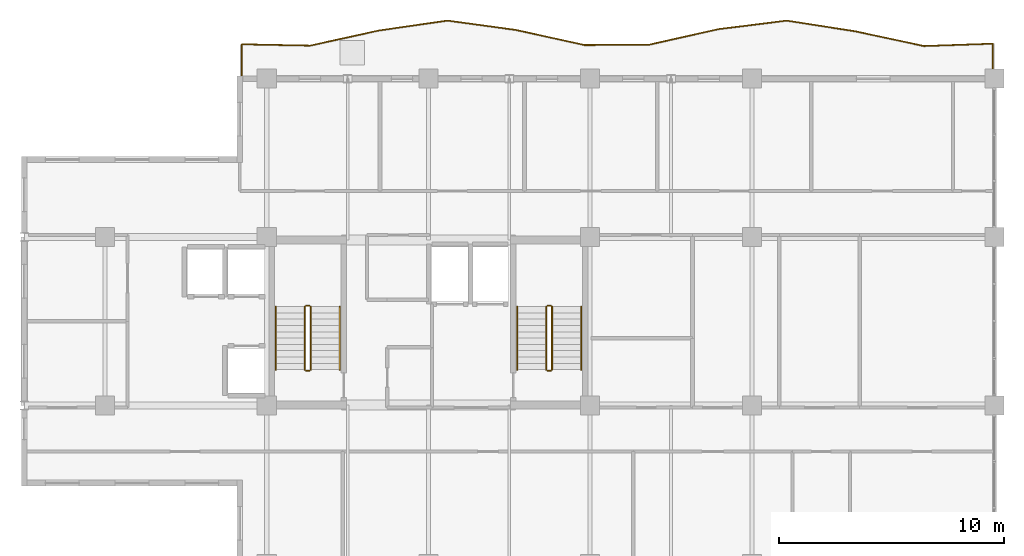
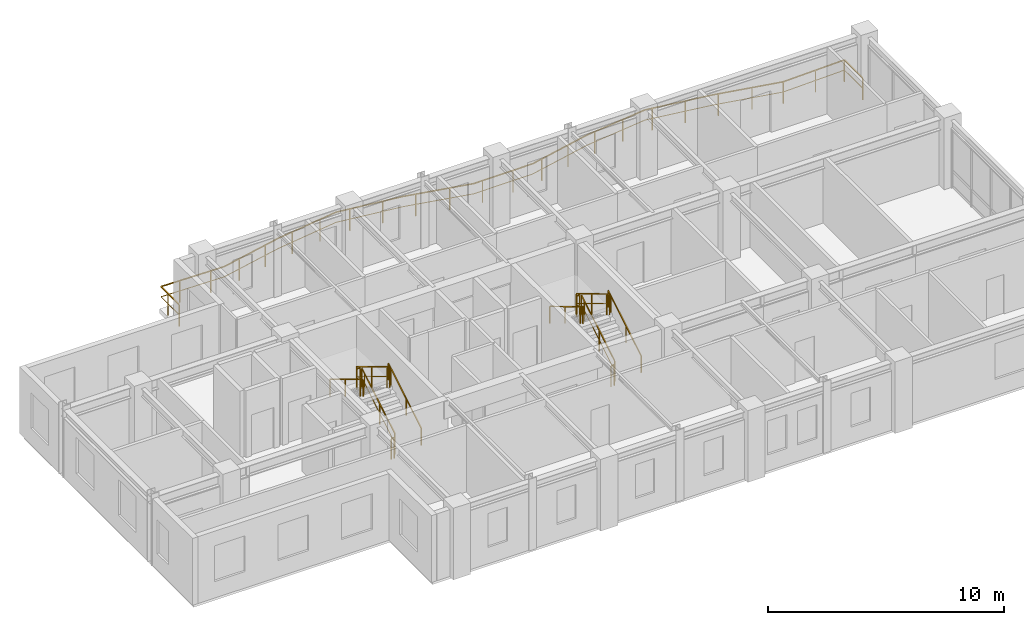
# One storey, part 10 of 10: 13 railings.
"""IFC4 building model written with IfcOpenShell, lengths in metres."""

from ifc_helpers import new_model, si_unit, direction, frame, origin, origin_2d, place, context, subcontext, project, spatial, rectangle, extrude, material, type_object, element, save


model = new_model("IFC4")

# Units and contexts
model_context = context("Model", 3, precision=1e-05, world=origin(), true_north=direction((0.0, 1.0)))
body_context = subcontext(model_context, "Body", "Model", "MODEL_VIEW")
ifc_project = project(units=[si_unit("LENGTHUNIT", "METRE"), si_unit("AREAUNIT", "SQUARE_METRE"), si_unit("VOLUMEUNIT", "CUBIC_METRE"), si_unit("PLANEANGLEUNIT", "RADIAN"), si_unit("MASSUNIT", "GRAM", prefix="KILO")], contexts=[model_context])

# Site, building, storey
site_placement = place(None, origin())
site = spatial("IfcSite", under=ifc_project, at=site_placement, CompositionType="ELEMENT")
building_placement = place(site_placement, origin())
building = spatial("IfcBuilding", under=site, at=building_placement, Name="Kaliganga Portal Commons", CompositionType="ELEMENT")
storey_placement = place(building_placement, frame((0.0, 0.0, 290.60009765625)))
storey = spatial("IfcBuildingStorey", under=building, at=storey_placement, Name="L75", CompositionType="ELEMENT", Elevation=290.60009765625)

# Railings
ifc_material_1 = material(Name="Laminated Safety Glass and Stainless Steel 316", Category="steel")
railing_type_1 = type_object("IfcRailingType", Name="RLG-BAL-1150", PredefinedType="BALUSTRADE", material=ifc_material_1)
railing_1_placement = place(storey_placement, frame((46.720458984375, 43.207763671875, 0.0)))
element("IfcRailing", 1, at=railing_1_placement, inside=storey, type_object=railing_type_1, Name="Balcony Guardrail L75 balc_north", PredefinedType="BALUSTRADE", context=body_context, shape_type="SweptSolid", body=[
    extrude(rectangle(XDim=0.048095703125, YDim=0.048095703125, at=origin_2d()), frame((0.0, 0.0, 1.1259765625), z_axis=(-0.000314415957, 0.999999950571, 0.0), x_axis=(-0.999999950571, -0.000314415957, 0.0)), (0.0, 0.0, 1.0), 1.552978515625),
    extrude(rectangle(XDim=0.028076171875, YDim=0.028076171875, at=origin_2d()), frame((0.0, 0.0, 0.597900390625), z_axis=(-0.000314415957, 0.999999950571, 0.0), x_axis=(-0.999999950571, -0.000314415957, 0.0)), (0.0, 0.0, 1.0), 1.552978515625),
    extrude(rectangle(XDim=0.048095703125, YDim=0.048095703125, at=origin_2d()), frame((-0.00048828125, 1.552978515625, 1.1259765625), z_axis=(-0.999409882753, -0.034349472431, 0.0), x_axis=(0.034349472431, -0.999409882753, 0.0)), (0.0, 0.0, 1.0), 3.05615234375),
    extrude(rectangle(XDim=0.028076171875, YDim=0.028076171875, at=origin_2d()), frame((-0.00048828125, 1.552978515625, 0.597900390625), z_axis=(-0.999409882753, -0.034349472431, 0.0), x_axis=(0.034349472431, -0.999409882753, 0.0)), (0.0, 0.0, 1.0), 3.05615234375),
    extrude(rectangle(XDim=0.048095703125, YDim=0.048095703125, at=origin_2d()), frame((-3.054931640625, 1.447998046875, 1.1259765625), z_axis=(-0.977817280433, 0.209459700388, 0.0), x_axis=(-0.209459700388, -0.977817280433, 0.0)), (0.0, 0.0, 1.0), 3.123779296875),
    extrude(rectangle(XDim=0.028076171875, YDim=0.028076171875, at=origin_2d()), frame((-3.054931640625, 1.447998046875, 0.597900390625), z_axis=(-0.977817280433, 0.209459700388, 0.0), x_axis=(-0.209459700388, -0.977817280433, 0.0)), (0.0, 0.0, 1.0), 3.123779296875),
    extrude(rectangle(XDim=0.048095703125, YDim=0.048095703125, at=origin_2d()), frame((-6.109375, 2.102294921875, 1.1259765625), z_axis=(-0.987996218209, 0.154478065773, 0.0), x_axis=(-0.154478065773, -0.987996218209, 0.0)), (0.0, 0.0, 1.0), 3.09130859375),
    extrude(rectangle(XDim=0.028076171875, YDim=0.028076171875, at=origin_2d()), frame((-6.109375, 2.102294921875, 0.597900390625), z_axis=(-0.987996218209, 0.154478065773, 0.0), x_axis=(-0.154478065773, -0.987996218209, 0.0)), (0.0, 0.0, 1.0), 3.09130859375),
    extrude(rectangle(XDim=0.048095703125, YDim=0.048095703125, at=origin_2d()), frame((-9.16357421875, 2.579833984375, 1.1259765625), z_axis=(-0.992315657939, -0.123732109854, 0.0), x_axis=(0.123732109854, -0.992315657939, 0.0)), (0.0, 0.0, 1.0), 3.078125),
    extrude(rectangle(XDim=0.028076171875, YDim=0.028076171875, at=origin_2d()), frame((-9.16357421875, 2.579833984375, 0.597900390625), z_axis=(-0.992315657939, -0.123732109854, 0.0), x_axis=(0.123732109854, -0.992315657939, 0.0)), (0.0, 0.0, 1.0), 3.078125),
    extrude(rectangle(XDim=0.048095703125, YDim=0.048095703125, at=origin_2d()), frame((-12.218017578125, 2.198974609375, 1.1259765625), z_axis=(-0.975683592517, -0.219183775159, 0.0), x_axis=(0.219183775159, -0.975683592517, 0.0)), (0.0, 0.0, 1.0), 3.131103515625),
    extrude(rectangle(XDim=0.028076171875, YDim=0.028076171875, at=origin_2d()), frame((-12.218017578125, 2.198974609375, 0.597900390625), z_axis=(-0.975683592517, -0.219183775159, 0.0), x_axis=(0.219183775159, -0.975683592517, 0.0)), (0.0, 0.0, 1.0), 3.131103515625),
    extrude(rectangle(XDim=0.048095703125, YDim=0.048095703125, at=origin_2d()), frame((-15.27294921875, 1.5126953125, 1.1259765625), z_axis=(-0.999971839813, -0.0075046373, 0.0), x_axis=(0.0075046373, -0.999971839813, 0.0)), (0.0, 0.0, 1.0), 2.895263671875),
    extrude(rectangle(XDim=0.028076171875, YDim=0.028076171875, at=origin_2d()), frame((-15.27294921875, 1.5126953125, 0.597900390625), z_axis=(-0.999971839813, -0.0075046373, 0.0), x_axis=(0.0075046373, -0.999971839813, 0.0)), (0.0, 0.0, 1.0), 2.895263671875),
    extrude(rectangle(XDim=0.048095703125, YDim=0.048095703125, at=origin_2d()), frame((-18.168212890625, 1.490966796875, 1.1259765625), z_axis=(-0.976605796385, 0.215037481541, 0.0), x_axis=(-0.215037481541, -0.976605796385, 0.0)), (0.0, 0.0, 1.0), 3.1279296875),
    extrude(rectangle(XDim=0.028076171875, YDim=0.028076171875, at=origin_2d()), frame((-18.168212890625, 1.490966796875, 0.597900390625), z_axis=(-0.976605796385, 0.215037481541, 0.0), x_axis=(-0.215037481541, -0.976605796385, 0.0)), (0.0, 0.0, 1.0), 3.1279296875),
    extrude(rectangle(XDim=0.048095703125, YDim=0.048095703125, at=origin_2d()), frame((-21.222900390625, 2.16357421875, 1.1259765625), z_axis=(-0.990745644969, 0.135731599031, 0.0), x_axis=(-0.135731599031, -0.990745644969, 0.0)), (0.0, 0.0, 1.0), 3.0830078125),
    extrude(rectangle(XDim=0.028076171875, YDim=0.028076171875, at=origin_2d()), frame((-21.222900390625, 2.16357421875, 0.597900390625), z_axis=(-0.990745644969, 0.135731599031, 0.0), x_axis=(-0.135731599031, -0.990745644969, 0.0)), (0.0, 0.0, 1.0), 3.0830078125),
    extrude(rectangle(XDim=0.048095703125, YDim=0.048095703125, at=origin_2d()), frame((-24.27734375, 2.58203125, 1.1259765625), z_axis=(-0.989649855278, -0.14350318445, 0.0), x_axis=(0.14350318445, -0.989649855278, 0.0)), (0.0, 0.0, 1.0), 3.086181640625),
    extrude(rectangle(XDim=0.028076171875, YDim=0.028076171875, at=origin_2d()), frame((-24.27734375, 2.58203125, 0.597900390625), z_axis=(-0.989649855278, -0.14350318445, 0.0), x_axis=(0.14350318445, -0.989649855278, 0.0)), (0.0, 0.0, 1.0), 3.086181640625),
    extrude(rectangle(XDim=0.048095703125, YDim=0.048095703125, at=origin_2d()), frame((-27.33154296875, 2.13916015625, 1.1259765625), z_axis=(-0.976634964869, -0.214904968291, 0.0), x_axis=(0.214904968291, -0.976634964869, 0.0)), (0.0, 0.0, 1.0), 3.12744140625),
    extrude(rectangle(XDim=0.028076171875, YDim=0.028076171875, at=origin_2d()), frame((-27.33154296875, 2.13916015625, 0.597900390625), z_axis=(-0.976634964869, -0.214904968291, 0.0), x_axis=(0.214904968291, -0.976634964869, 0.0)), (0.0, 0.0, 1.0), 3.12744140625),
    extrude(rectangle(XDim=0.048095703125, YDim=0.048095703125, at=origin_2d()), frame((-30.385986328125, 1.467041015625, 1.1259765625), z_axis=(-0.999808312745, 0.019579013398, 0.0), x_axis=(-0.019579013398, -0.999808312745, 0.0)), (0.0, 0.0, 1.0), 3.054931640625),
    extrude(rectangle(XDim=0.028076171875, YDim=0.028076171875, at=origin_2d()), frame((-30.385986328125, 1.467041015625, 0.597900390625), z_axis=(-0.999808312745, 0.019579013398, 0.0), x_axis=(-0.019579013398, -0.999808312745, 0.0)), (0.0, 0.0, 1.0), 3.054931640625),
    extrude(rectangle(XDim=0.048095703125, YDim=0.048095703125, at=origin_2d()), frame((-33.4404296875, 1.52685546875, 1.1259765625), z_axis=(-0.000319795315, -0.999999948865, 0.0), x_axis=(0.999999948865, -0.000319795315, 0.0)), (0.0, 0.0, 1.0), 1.52685546875),
    extrude(rectangle(XDim=0.028076171875, YDim=0.028076171875, at=origin_2d()), frame((-33.4404296875, 1.52685546875, 0.597900390625), z_axis=(-0.000319795315, -0.999999948865, 0.0), x_axis=(0.999999948865, -0.000319795315, 0.0)), (0.0, 0.0, 1.0), 1.52685546875),
    extrude(rectangle(XDim=0.0419921875, YDim=0.0419921875, at=origin_2d()), origin(), (0.0, 0.0, 1.0), 1.101806640625),
    extrude(rectangle(XDim=0.0419921875, YDim=0.0419921875, at=origin_2d()), frame((-0.00048828125, 1.552978515625, 0.0)), (0.0, 0.0, 1.0), 1.101806640625),
    extrude(rectangle(XDim=0.0419921875, YDim=0.0419921875, at=origin_2d()), frame((-1.44677734375, 1.503173828125, 0.0)), (0.0, 0.0, 1.0), 1.101806640625),
    extrude(rectangle(XDim=0.0419921875, YDim=0.0419921875, at=origin_2d()), frame((-3.054931640625, 1.447998046875, 0.0)), (0.0, 0.0, 1.0), 1.101806640625),
    extrude(rectangle(XDim=0.0419921875, YDim=0.0419921875, at=origin_2d()), frame((-4.414794921875, 1.7392578125, 0.0)), (0.0, 0.0, 1.0), 1.101806640625),
    extrude(rectangle(XDim=0.0419921875, YDim=0.0419921875, at=origin_2d()), frame((-5.881591796875, 2.053466796875, 0.0)), (0.0, 0.0, 1.0), 1.101806640625),
    extrude(rectangle(XDim=0.0419921875, YDim=0.0419921875, at=origin_2d()), frame((-7.361083984375, 2.298095703125, 0.0)), (0.0, 0.0, 1.0), 1.101806640625),
    extrude(rectangle(XDim=0.0419921875, YDim=0.0419921875, at=origin_2d()), frame((-8.84326171875, 2.52978515625, 0.0)), (0.0, 0.0, 1.0), 1.101806640625),
    extrude(rectangle(XDim=0.0419921875, YDim=0.0419921875, at=origin_2d()), frame((-10.330322265625, 2.434326171875, 0.0)), (0.0, 0.0, 1.0), 1.101806640625),
    extrude(rectangle(XDim=0.0419921875, YDim=0.0419921875, at=origin_2d()), frame((-11.81884765625, 2.248779296875, 0.0)), (0.0, 0.0, 1.0), 1.101806640625),
    extrude(rectangle(XDim=0.0419921875, YDim=0.0419921875, at=origin_2d()), frame((-13.2890625, 1.95849609375, 0.0)), (0.0, 0.0, 1.0), 1.101806640625),
    extrude(rectangle(XDim=0.0419921875, YDim=0.0419921875, at=origin_2d()), frame((-14.75244140625, 1.629638671875, 0.0)), (0.0, 0.0, 1.0), 1.101806640625),
    extrude(rectangle(XDim=0.0419921875, YDim=0.0419921875, at=origin_2d()), frame((-16.239501953125, 1.50537109375, 0.0)), (0.0, 0.0, 1.0), 1.101806640625),
    extrude(rectangle(XDim=0.0419921875, YDim=0.0419921875, at=origin_2d()), frame((-17.739501953125, 1.494140625, 0.0)), (0.0, 0.0, 1.0), 1.101806640625),
    extrude(rectangle(XDim=0.0419921875, YDim=0.0419921875, at=origin_2d()), frame((-19.21435546875, 1.721435546875, 0.0)), (0.0, 0.0, 1.0), 1.101806640625),
    extrude(rectangle(XDim=0.0419921875, YDim=0.0419921875, at=origin_2d()), frame((-20.67919921875, 2.0439453125, 0.0)), (0.0, 0.0, 1.0), 1.101806640625),
    extrude(rectangle(XDim=0.0419921875, YDim=0.0419921875, at=origin_2d()), frame((-22.157470703125, 2.29150390625, 0.0)), (0.0, 0.0, 1.0), 1.101806640625),
    extrude(rectangle(XDim=0.0419921875, YDim=0.0419921875, at=origin_2d()), frame((-23.6435546875, 2.4951171875, 0.0)), (0.0, 0.0, 1.0), 1.101806640625),
    extrude(rectangle(XDim=0.0419921875, YDim=0.0419921875, at=origin_2d()), frame((-25.12890625, 2.45849609375, 0.0)), (0.0, 0.0, 1.0), 1.101806640625),
    extrude(rectangle(XDim=0.0419921875, YDim=0.0419921875, at=origin_2d()), frame((-26.61328125, 2.243408203125, 0.0)), (0.0, 0.0, 1.0), 1.101806640625),
    extrude(rectangle(XDim=0.0419921875, YDim=0.0419921875, at=origin_2d()), frame((-28.087646484375, 1.97265625, 0.0)), (0.0, 0.0, 1.0), 1.101806640625),
    extrude(rectangle(XDim=0.0419921875, YDim=0.0419921875, at=origin_2d()), frame((-29.552734375, 1.650390625, 0.0)), (0.0, 0.0, 1.0), 1.101806640625),
    extrude(rectangle(XDim=0.0419921875, YDim=0.0419921875, at=origin_2d()), frame((-31.032470703125, 1.479736328125, 0.0)), (0.0, 0.0, 1.0), 1.101806640625),
    extrude(rectangle(XDim=0.0419921875, YDim=0.0419921875, at=origin_2d()), frame((-32.5322265625, 1.509033203125, 0.0)), (0.0, 0.0, 1.0), 1.101806640625),
    extrude(rectangle(XDim=0.0419921875, YDim=0.0419921875, at=origin_2d()), frame((-33.440673828125, 0.93505859375, 0.0)), (0.0, 0.0, 1.0), 1.101806640625),
    extrude(rectangle(XDim=0.0419921875, YDim=0.0419921875, at=origin_2d()), frame((-33.44091796875, 0.0, 0.0)), (0.0, 0.0, 1.0), 1.101806640625),
])
ifc_material_2 = material(Name="Galvanized Painted Steel Balustrade", Category="steel")
railing_type_2 = type_object("IfcRailingType", Name="RLG-STAIR-GRD", PredefinedType="GUARDRAIL", material=ifc_material_2)
railing_2_placement = place(storey_placement, frame((16.35009765625, 30.25, 0.16796875)))
element("IfcRailing", 2, at=railing_2_placement, inside=storey, type_object=railing_type_2, Name="L75 ST-A1 stair guard 1", PredefinedType="GUARDRAIL", context=body_context, shape_type="SweptSolid", body=[
    extrude(rectangle(XDim=0.048095703125, YDim=0.048095703125, at=origin_2d()), frame((0.0, 0.0, 1.072021484375), z_axis=(0.0, 0.857242210791, 0.514913383045), x_axis=(-1.0, 0.0, 0.0)), (0.0, 0.0, 1.0), 3.266357421875),
    extrude(rectangle(XDim=0.028076171875, YDim=0.028076171875, at=origin_2d()), frame((0.0, 0.0, 0.572021484375), z_axis=(0.0, 0.857242210791, 0.514913383045), x_axis=(-1.0, 0.0, 0.0)), (0.0, 0.0, 1.0), 3.266357421875),
    extrude(rectangle(XDim=0.0419921875, YDim=0.0419921875, at=origin_2d()), origin(), (0.0, 0.0, 1.0), 1.052001953125),
    extrude(rectangle(XDim=0.0419921875, YDim=0.0419921875, at=origin_2d()), frame((0.0, 1.285888671875, 0.7724609375)), (0.0, 0.0, 1.0), 1.052001953125),
    extrude(rectangle(XDim=0.0419921875, YDim=0.0419921875, at=origin_2d()), frame((0.0, 2.57177734375, 1.544677734375)), (0.0, 0.0, 1.0), 1.052001953125),
    extrude(rectangle(XDim=0.0419921875, YDim=0.0419921875, at=origin_2d()), frame((0.0, 2.800048828125, 1.681884765625)), (0.0, 0.0, 1.0), 1.052001953125),
])
railing_3_placement = place(storey_placement, frame((16.300048828125, 33.10009765625, 1.849853515625)))
element("IfcRailing", 3, at=railing_3_placement, inside=storey, type_object=railing_type_2, Name="L75 ST-A1 stair guard 2", PredefinedType="GUARDRAIL", context=body_context, shape_type="SweptSolid", body=[
    extrude(rectangle(XDim=0.048095703125, YDim=0.048095703125, at=origin_2d()), frame((0.0, 0.0, 1.076171875), z_axis=(-1.0, 0.0, 0.0), x_axis=(0.0, -1.0, 0.0)), (0.0, 0.0, 1.0), 0.150146484375),
    extrude(rectangle(XDim=0.028076171875, YDim=0.028076171875, at=origin_2d()), frame((0.0, 0.0, 0.572021484375), z_axis=(-1.0, 0.0, 0.0), x_axis=(0.0, -1.0, 0.0)), (0.0, 0.0, 1.0), 0.150146484375),
    extrude(rectangle(XDim=0.0419921875, YDim=0.0419921875, at=origin_2d()), origin(), (0.0, 0.0, 1.0), 1.052001953125),
    extrude(rectangle(XDim=0.0419921875, YDim=0.0419921875, at=origin_2d()), frame((-0.150146484375, 0.0, 0.0)), (0.0, 0.0, 1.0), 1.052001953125),
])
railing_4_placement = place(storey_placement, frame((16.10009765625, 33.050048828125, 2.01806640625)))
element("IfcRailing", 4, at=railing_4_placement, inside=storey, type_object=railing_type_2, Name="L75 ST-A1 stair guard 3", PredefinedType="GUARDRAIL", context=body_context, shape_type="SweptSolid", body=[
    extrude(rectangle(XDim=0.048095703125, YDim=0.048095703125, at=origin_2d()), frame((0.0, 0.0, 1.072021484375), z_axis=(0.0, -0.857242210791, 0.514913383045), x_axis=(1.0, 0.0, 0.0)), (0.0, 0.0, 1.0), 3.266357421875),
    extrude(rectangle(XDim=0.028076171875, YDim=0.028076171875, at=origin_2d()), frame((0.0, 0.0, 0.572021484375), z_axis=(0.0, -0.857242210791, 0.514913383045), x_axis=(1.0, 0.0, 0.0)), (0.0, 0.0, 1.0), 3.266357421875),
    extrude(rectangle(XDim=0.0419921875, YDim=0.0419921875, at=origin_2d()), origin(), (0.0, 0.0, 1.0), 1.052001953125),
    extrude(rectangle(XDim=0.0419921875, YDim=0.0419921875, at=origin_2d()), frame((0.0, -1.285888671875, 0.7724609375)), (0.0, 0.0, 1.0), 1.052001953125),
    extrude(rectangle(XDim=0.0419921875, YDim=0.0419921875, at=origin_2d()), frame((0.0, -2.57177734375, 1.544677734375)), (0.0, 0.0, 1.0), 1.052001953125),
    extrude(rectangle(XDim=0.0419921875, YDim=0.0419921875, at=origin_2d()), frame((0.0, -2.800048828125, 1.681884765625)), (0.0, 0.0, 1.0), 1.052001953125),
])
railing_5_placement = place(storey_placement, frame((16.300048828125, 30.199951171875, 0.0)))
element("IfcRailing", 5, at=railing_5_placement, inside=storey, type_object=railing_type_2, Name="L75 ST-A1 stair guard 4", PredefinedType="GUARDRAIL", context=body_context, shape_type="SweptSolid", body=[
    extrude(rectangle(XDim=0.048095703125, YDim=0.048095703125, at=origin_2d()), frame((0.0, 0.0, 1.076171875), z_axis=(-1.0, 0.0, 0.0), x_axis=(0.0, -1.0, 0.0)), (0.0, 0.0, 1.0), 0.150146484375),
    extrude(rectangle(XDim=0.028076171875, YDim=0.028076171875, at=origin_2d()), frame((0.0, 0.0, 0.572021484375), z_axis=(-1.0, 0.0, 0.0), x_axis=(0.0, -1.0, 0.0)), (0.0, 0.0, 1.0), 0.150146484375),
    extrude(rectangle(XDim=0.0419921875, YDim=0.0419921875, at=origin_2d()), origin(), (0.0, 0.0, 1.0), 1.052001953125),
    extrude(rectangle(XDim=0.0419921875, YDim=0.0419921875, at=origin_2d()), frame((-0.150146484375, 0.0, 0.0)), (0.0, 0.0, 1.0), 1.052001953125),
])
railing_6_placement = place(storey_placement, frame((27.10009765625, 30.25, 0.16796875)))
element("IfcRailing", 6, at=railing_6_placement, inside=storey, type_object=railing_type_2, Name="L75 ST-A2 stair guard 1", PredefinedType="GUARDRAIL", context=body_context, shape_type="SweptSolid", body=[
    extrude(rectangle(XDim=0.048095703125, YDim=0.048095703125, at=origin_2d()), frame((0.0, 0.0, 1.072021484375), z_axis=(0.0, 0.857242210791, 0.514913383045), x_axis=(-1.0, 0.0, 0.0)), (0.0, 0.0, 1.0), 3.266357421875),
    extrude(rectangle(XDim=0.028076171875, YDim=0.028076171875, at=origin_2d()), frame((0.0, 0.0, 0.572021484375), z_axis=(0.0, 0.857242210791, 0.514913383045), x_axis=(-1.0, 0.0, 0.0)), (0.0, 0.0, 1.0), 3.266357421875),
    extrude(rectangle(XDim=0.0419921875, YDim=0.0419921875, at=origin_2d()), origin(), (0.0, 0.0, 1.0), 1.052001953125),
    extrude(rectangle(XDim=0.0419921875, YDim=0.0419921875, at=origin_2d()), frame((0.0, 1.285888671875, 0.7724609375)), (0.0, 0.0, 1.0), 1.052001953125),
    extrude(rectangle(XDim=0.0419921875, YDim=0.0419921875, at=origin_2d()), frame((0.0, 2.57177734375, 1.544677734375)), (0.0, 0.0, 1.0), 1.052001953125),
    extrude(rectangle(XDim=0.0419921875, YDim=0.0419921875, at=origin_2d()), frame((0.0, 2.800048828125, 1.681884765625)), (0.0, 0.0, 1.0), 1.052001953125),
])
railing_7_placement = place(storey_placement, frame((27.050048828125, 33.10009765625, 1.849853515625)))
element("IfcRailing", 7, at=railing_7_placement, inside=storey, type_object=railing_type_2, Name="L75 ST-A2 stair guard 2", PredefinedType="GUARDRAIL", context=body_context, shape_type="SweptSolid", body=[
    extrude(rectangle(XDim=0.048095703125, YDim=0.048095703125, at=origin_2d()), frame((0.0, 0.0, 1.076171875), z_axis=(-1.0, 0.0, 0.0), x_axis=(0.0, -1.0, 0.0)), (0.0, 0.0, 1.0), 0.150146484375),
    extrude(rectangle(XDim=0.028076171875, YDim=0.028076171875, at=origin_2d()), frame((0.0, 0.0, 0.572021484375), z_axis=(-1.0, 0.0, 0.0), x_axis=(0.0, -1.0, 0.0)), (0.0, 0.0, 1.0), 0.150146484375),
    extrude(rectangle(XDim=0.0419921875, YDim=0.0419921875, at=origin_2d()), origin(), (0.0, 0.0, 1.0), 1.052001953125),
    extrude(rectangle(XDim=0.0419921875, YDim=0.0419921875, at=origin_2d()), frame((-0.150146484375, 0.0, 0.0)), (0.0, 0.0, 1.0), 1.052001953125),
])
railing_8_placement = place(storey_placement, frame((26.85009765625, 33.050048828125, 2.01806640625)))
element("IfcRailing", 8, at=railing_8_placement, inside=storey, type_object=railing_type_2, Name="L75 ST-A2 stair guard 3", PredefinedType="GUARDRAIL", context=body_context, shape_type="SweptSolid", body=[
    extrude(rectangle(XDim=0.048095703125, YDim=0.048095703125, at=origin_2d()), frame((0.0, 0.0, 1.072021484375), z_axis=(0.0, -0.857242210791, 0.514913383045), x_axis=(1.0, 0.0, 0.0)), (0.0, 0.0, 1.0), 3.266357421875),
    extrude(rectangle(XDim=0.028076171875, YDim=0.028076171875, at=origin_2d()), frame((0.0, 0.0, 0.572021484375), z_axis=(0.0, -0.857242210791, 0.514913383045), x_axis=(1.0, 0.0, 0.0)), (0.0, 0.0, 1.0), 3.266357421875),
    extrude(rectangle(XDim=0.0419921875, YDim=0.0419921875, at=origin_2d()), origin(), (0.0, 0.0, 1.0), 1.052001953125),
    extrude(rectangle(XDim=0.0419921875, YDim=0.0419921875, at=origin_2d()), frame((0.0, -1.285888671875, 0.7724609375)), (0.0, 0.0, 1.0), 1.052001953125),
    extrude(rectangle(XDim=0.0419921875, YDim=0.0419921875, at=origin_2d()), frame((0.0, -2.57177734375, 1.544677734375)), (0.0, 0.0, 1.0), 1.052001953125),
    extrude(rectangle(XDim=0.0419921875, YDim=0.0419921875, at=origin_2d()), frame((0.0, -2.800048828125, 1.681884765625)), (0.0, 0.0, 1.0), 1.052001953125),
])
railing_9_placement = place(storey_placement, frame((27.050048828125, 30.199951171875, 0.0)))
element("IfcRailing", 9, at=railing_9_placement, inside=storey, type_object=railing_type_2, Name="L75 ST-A2 stair guard 4", PredefinedType="GUARDRAIL", context=body_context, shape_type="SweptSolid", body=[
    extrude(rectangle(XDim=0.048095703125, YDim=0.048095703125, at=origin_2d()), frame((0.0, 0.0, 1.076171875), z_axis=(-1.0, 0.0, 0.0), x_axis=(0.0, -1.0, 0.0)), (0.0, 0.0, 1.0), 0.150146484375),
    extrude(rectangle(XDim=0.028076171875, YDim=0.028076171875, at=origin_2d()), frame((0.0, 0.0, 0.572021484375), z_axis=(-1.0, 0.0, 0.0), x_axis=(0.0, -1.0, 0.0)), (0.0, 0.0, 1.0), 0.150146484375),
    extrude(rectangle(XDim=0.0419921875, YDim=0.0419921875, at=origin_2d()), origin(), (0.0, 0.0, 1.0), 1.052001953125),
    extrude(rectangle(XDim=0.0419921875, YDim=0.0419921875, at=origin_2d()), frame((-0.150146484375, 0.0, 0.0)), (0.0, 0.0, 1.0), 1.052001953125),
])
ifc_material_3 = material(Name="Brushed Stainless Steel 316", Category="steel")
railing_type_3 = type_object("IfcRailingType", Name="RLG-STAIR-HR", PredefinedType="HANDRAIL", material=ifc_material_3)
railing_10_placement = place(storey_placement, frame((17.64990234375, 30.25, 0.16796875)))
element("IfcRailing", 10, at=railing_10_placement, inside=storey, type_object=railing_type_3, Name="L75 ST-A1 stair handrail 1", PredefinedType="HANDRAIL", context=body_context, shape_type="SweptSolid", body=[
    extrude(rectangle(XDim=0.048095703125, YDim=0.048095703125, at=origin_2d()), frame((0.0, 0.0, 0.871826171875), z_axis=(0.0, 0.857242210791, 0.514913383045), x_axis=(-1.0, 0.0, 0.0)), (0.0, 0.0, 1.0), 3.266357421875),
    extrude(rectangle(XDim=0.0419921875, YDim=0.0419921875, at=origin_2d()), origin(), (0.0, 0.0, 1.0), 0.851806640625),
    extrude(rectangle(XDim=0.0419921875, YDim=0.0419921875, at=origin_2d()), frame((0.0, 1.285888671875, 0.7724609375)), (0.0, 0.0, 1.0), 0.851806640625),
    extrude(rectangle(XDim=0.0419921875, YDim=0.0419921875, at=origin_2d()), frame((0.0, 2.57177734375, 1.544677734375)), (0.0, 0.0, 1.0), 0.851806640625),
    extrude(rectangle(XDim=0.0419921875, YDim=0.0419921875, at=origin_2d()), frame((0.0, 2.800048828125, 1.681884765625)), (0.0, 0.0, 1.0), 0.851806640625),
])
railing_11_placement = place(storey_placement, frame((14.800048828125, 33.050048828125, 2.01806640625)))
element("IfcRailing", 11, at=railing_11_placement, inside=storey, type_object=railing_type_3, Name="L75 ST-A1 stair handrail 2", PredefinedType="HANDRAIL", context=body_context, shape_type="SweptSolid", body=[
    extrude(rectangle(XDim=0.048095703125, YDim=0.048095703125, at=origin_2d()), frame((0.0, 0.0, 0.871826171875), z_axis=(0.0, -0.857242210791, 0.514913383045), x_axis=(1.0, 0.0, 0.0)), (0.0, 0.0, 1.0), 3.266357421875),
    extrude(rectangle(XDim=0.0419921875, YDim=0.0419921875, at=origin_2d()), origin(), (0.0, 0.0, 1.0), 0.851806640625),
    extrude(rectangle(XDim=0.0419921875, YDim=0.0419921875, at=origin_2d()), frame((0.0, -1.285888671875, 0.7724609375)), (0.0, 0.0, 1.0), 0.851806640625),
    extrude(rectangle(XDim=0.0419921875, YDim=0.0419921875, at=origin_2d()), frame((0.0, -2.57177734375, 1.544677734375)), (0.0, 0.0, 1.0), 0.851806640625),
    extrude(rectangle(XDim=0.0419921875, YDim=0.0419921875, at=origin_2d()), frame((0.0, -2.800048828125, 1.681884765625)), (0.0, 0.0, 1.0), 0.851806640625),
])
railing_12_placement = place(storey_placement, frame((28.39990234375, 30.25, 0.16796875)))
element("IfcRailing", 12, at=railing_12_placement, inside=storey, type_object=railing_type_3, Name="L75 ST-A2 stair handrail 1", PredefinedType="HANDRAIL", context=body_context, shape_type="SweptSolid", body=[
    extrude(rectangle(XDim=0.048095703125, YDim=0.048095703125, at=origin_2d()), frame((0.0, 0.0, 0.871826171875), z_axis=(0.0, 0.857242210791, 0.514913383045), x_axis=(-1.0, 0.0, 0.0)), (0.0, 0.0, 1.0), 3.266357421875),
    extrude(rectangle(XDim=0.0419921875, YDim=0.0419921875, at=origin_2d()), origin(), (0.0, 0.0, 1.0), 0.851806640625),
    extrude(rectangle(XDim=0.0419921875, YDim=0.0419921875, at=origin_2d()), frame((0.0, 1.285888671875, 0.7724609375)), (0.0, 0.0, 1.0), 0.851806640625),
    extrude(rectangle(XDim=0.0419921875, YDim=0.0419921875, at=origin_2d()), frame((0.0, 2.57177734375, 1.544677734375)), (0.0, 0.0, 1.0), 0.851806640625),
    extrude(rectangle(XDim=0.0419921875, YDim=0.0419921875, at=origin_2d()), frame((0.0, 2.800048828125, 1.681884765625)), (0.0, 0.0, 1.0), 0.851806640625),
])
railing_13_placement = place(storey_placement, frame((25.550048828125, 33.050048828125, 2.01806640625)))
element("IfcRailing", 13, at=railing_13_placement, inside=storey, type_object=railing_type_3, Name="L75 ST-A2 stair handrail 2", PredefinedType="HANDRAIL", context=body_context, shape_type="SweptSolid", body=[
    extrude(rectangle(XDim=0.048095703125, YDim=0.048095703125, at=origin_2d()), frame((0.0, 0.0, 0.871826171875), z_axis=(0.0, -0.857242210791, 0.514913383045), x_axis=(1.0, 0.0, 0.0)), (0.0, 0.0, 1.0), 3.266357421875),
    extrude(rectangle(XDim=0.0419921875, YDim=0.0419921875, at=origin_2d()), origin(), (0.0, 0.0, 1.0), 0.851806640625),
    extrude(rectangle(XDim=0.0419921875, YDim=0.0419921875, at=origin_2d()), frame((0.0, -1.285888671875, 0.7724609375)), (0.0, 0.0, 1.0), 0.851806640625),
    extrude(rectangle(XDim=0.0419921875, YDim=0.0419921875, at=origin_2d()), frame((0.0, -2.57177734375, 1.544677734375)), (0.0, 0.0, 1.0), 0.851806640625),
    extrude(rectangle(XDim=0.0419921875, YDim=0.0419921875, at=origin_2d()), frame((0.0, -2.800048828125, 1.681884765625)), (0.0, 0.0, 1.0), 0.851806640625),
])

save(model, "model.ifc")
